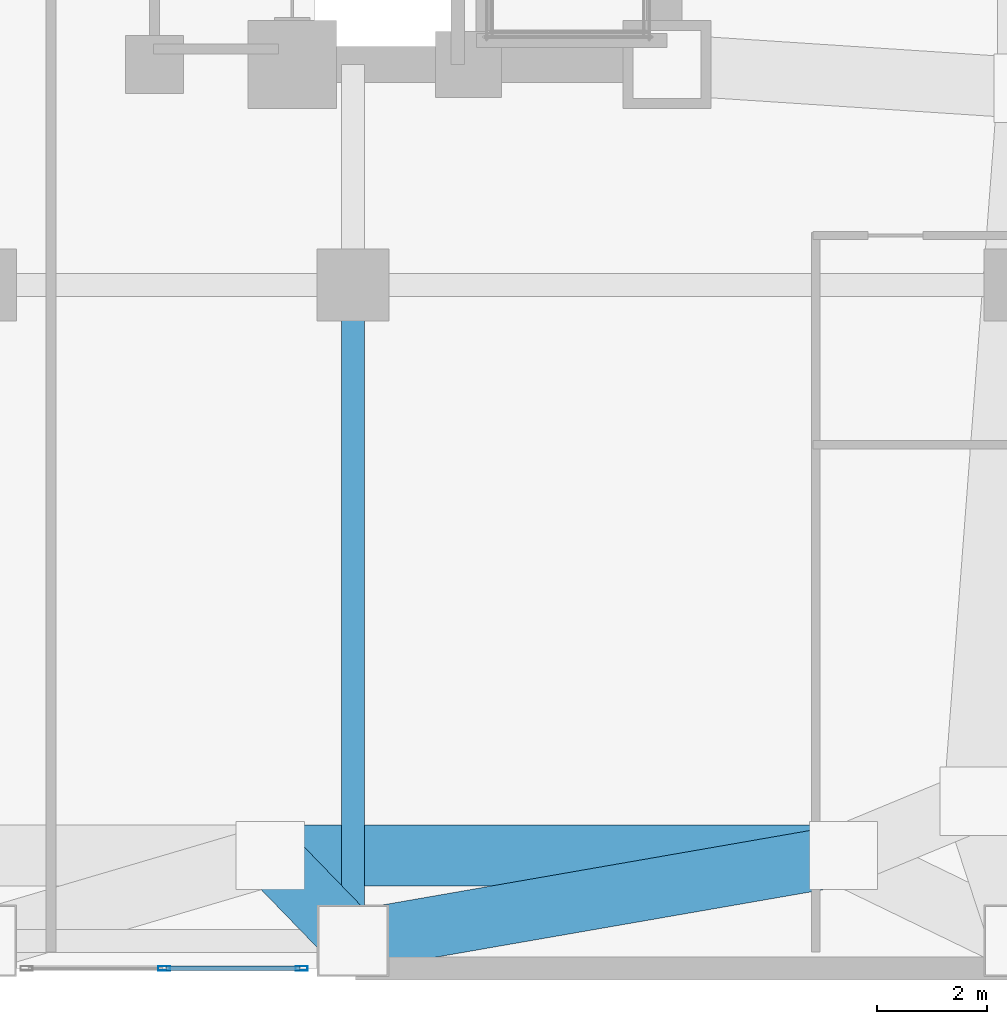
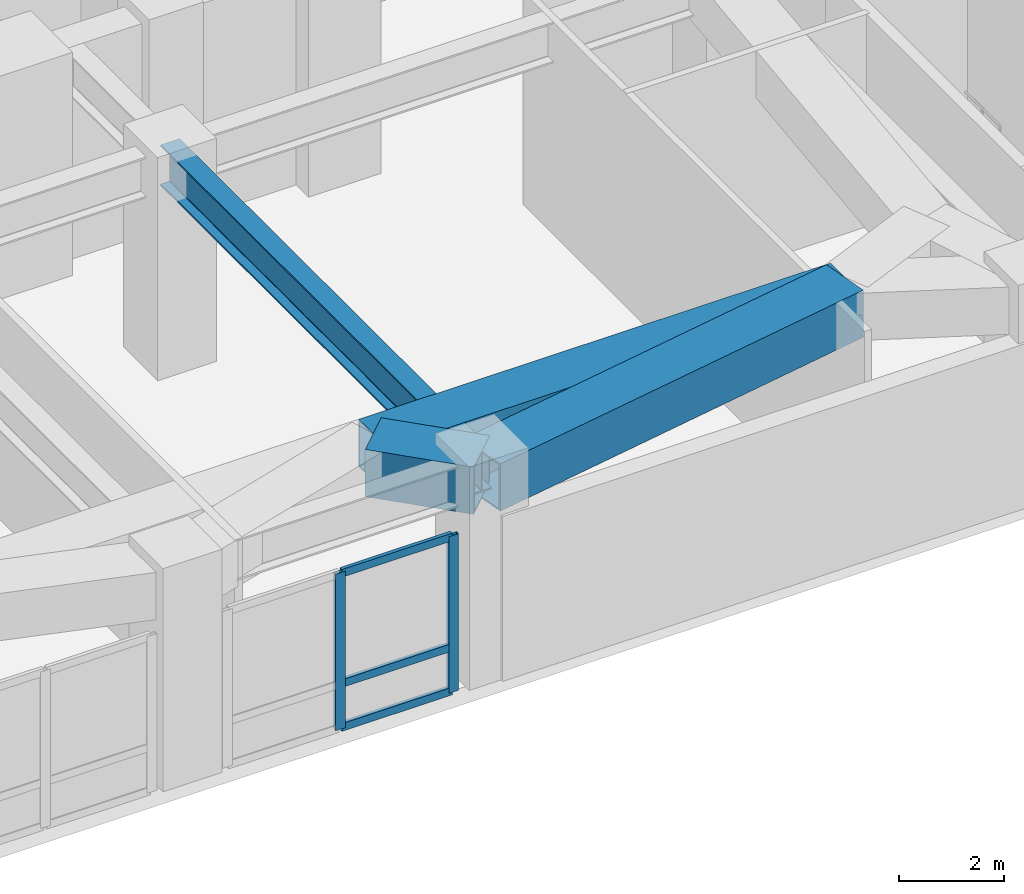
# One storey, part 6 of 20: 5 members, 4 beams, 1 element without a shape of its own.
"""IFC4 building model written with IfcOpenShell, lengths in metres."""

from ifc_helpers import new_model, si_unit, direction, frame, origin, origin_2d, place, context, subcontext, project, spatial, hollow_rectangle, i_section, extrude, material, layer, layer_set, material_profile, profile_set, type_object, element, aggregate, save


model = new_model("IFC4")

# Units and contexts
model_context = context("Model", 3, precision=1e-05, world=origin(), true_north=direction((0.0, 1.0)))
body_context = subcontext(model_context, "Body", "Model", "MODEL_VIEW")
ifc_project = project(units=[si_unit("LENGTHUNIT", "METRE"), si_unit("AREAUNIT", "SQUARE_METRE"), si_unit("VOLUMEUNIT", "CUBIC_METRE"), si_unit("PLANEANGLEUNIT", "RADIAN"), si_unit("MASSUNIT", "GRAM", prefix="KILO")], contexts=[model_context])

# Site, building, storey
site_placement = place(None, origin())
site = spatial("IfcSite", under=ifc_project, at=site_placement, CompositionType="ELEMENT")
building_placement = place(site_placement, origin())
building = spatial("IfcBuilding", under=site, at=building_placement, Name="Voryun Gate Residences", CompositionType="ELEMENT")
storey_placement = place(building_placement, frame((0.0, 0.0, 20.800048828125)))
storey = spatial("IfcBuildingStorey", under=building, at=storey_placement, Name="L04", CompositionType="ELEMENT", Elevation=20.800048828125)

# Beams
ifc_material_1 = material(Name="Steel SM420", Category="steel")
ifc_material_profile_1 = material_profile(ifc_material_1, hollow_rectangle(XDim=1.10009765625, YDim=1.10009765625, WallThickness=0.035888671875, at=origin_2d()), Name="BOX-1100x1100x36")
ifc_profile_set_1 = profile_set([ifc_material_profile_1], Name="Steel SM420")
beam_type_1 = type_object("IfcBeamType", Name="BM_ARCH_RIB", PredefinedType="USERDEFINED", material=ifc_profile_set_1)
beam_1_placement = place(storey_placement, frame((12.0, -21.75, 4.39990234375), z_axis=(1.0, 0.0, 0.0), x_axis=(0.0, 1.0, 0.0)))
element("IfcBeam", 1, at=beam_1_placement, inside=storey, type_object=beam_type_1, Name="BM-L04-B1RING-05", ObjectType="GIRDER", PredefinedType="USERDEFINED", context=body_context, shape_type="SweptSolid", body=[
    extrude(hollow_rectangle(XDim=1.10009765625, YDim=1.10009765625, WallThickness=0.035888671875, at=origin_2d()), origin(), (0.0, 0.0, 1.0), 10.39990234375),
])
beam_2_placement = place(storey_placement, frame((13.5, -23.300048828125, 4.39990234375), z_axis=(-0.695410114988, 0.718613089202, 0.0), x_axis=(-0.718613089202, -0.695410114988, 0.0)))
element("IfcBeam", 2, at=beam_2_placement, inside=storey, type_object=beam_type_1, Name="BM-L04-B1RAD1-S5", ObjectType="GIRDER", PredefinedType="USERDEFINED", context=body_context, shape_type="SweptSolid", body=[
    extrude(hollow_rectangle(XDim=1.10009765625, YDim=1.10009765625, WallThickness=0.035888671875, at=origin_2d()), origin(), (0.0, 0.0, 1.0), 2.156982421875),
])
beam_3_placement = place(storey_placement, frame((13.5, -23.300048828125, 4.39990234375), z_axis=(0.985169873848, 0.171581816236, 0.0), x_axis=(-0.171581816236, 0.985169873848, 0.0)))
element("IfcBeam", 3, at=beam_3_placement, inside=storey, type_object=beam_type_1, Name="BM-L04-B1RAD2-S6", ObjectType="GIRDER", PredefinedType="USERDEFINED", context=body_context, shape_type="SweptSolid", body=[
    extrude(hollow_rectangle(XDim=1.10009765625, YDim=1.10009765625, WallThickness=0.035888671875, at=origin_2d()), origin(), (0.0, 0.0, 1.0), 9.033935546875),
])
ifc_material_2 = material(Name="Steel SM420", Category="steel")
ifc_material_profile_2 = material_profile(ifc_material_2, i_section(OverallWidth=0.419921875, OverallDepth=0.949951171875, WebThickness=0.02001953125, FlangeThickness=0.035888671875, FilletRadius=0.01806640625, at=origin_2d()), Name="H-950x420x20x36")
ifc_profile_set_2 = profile_set([ifc_material_profile_2], Name="Steel SM420")
beam_type_2 = type_object("IfcBeamType", Name="BM_XFER_950", PredefinedType="USERDEFINED", material=ifc_profile_set_2)
beam_4_placement = place(storey_placement, frame((13.5, -23.300048828125, 4.474853515625), z_axis=(0.0, 1.0, 0.0), x_axis=(-1.0, 0.0, 0.0)))
element("IfcBeam", 4, at=beam_4_placement, inside=storey, type_object=beam_type_2, Name="BM-L04-GYA-+13.5--23.3", ObjectType="GIRDER", PredefinedType="USERDEFINED", context=body_context, shape_type="SweptSolid", body=[
    extrude(i_section(OverallWidth=0.419921875, OverallDepth=0.949951171875, WebThickness=0.02001953125, FlangeThickness=0.035888671875, FilletRadius=0.01806640625, at=origin_2d()), origin(), (0.0, 0.0, 1.0), 11.900146484375),
])

# Curtain wall, members
ifc_material_3 = material(Name="Anodised aluminium", Category="aluminium")
ifc_layer = layer(ifc_material_3, 0.219970703125, Name="CW_SYS_POD_DARK_GLASS")
ifc_layer_set = layer_set([ifc_layer], Name="Anodised aluminium")
curtain_wall_type = type_object("IfcCurtainWallType", Name="CW_SYS_POD_DARK_GLASS", PredefinedType="NOTDEFINED", material=ifc_layer_set)
curtain_wall_placement = place(storey_placement, origin())
curtain_wall = element("IfcCurtainWall", 5, at=curtain_wall_placement, inside=storey, type_object=curtain_wall_type, Name="Curtain wall CW1-L04-BRG-1-E", PredefinedType="NOTDEFINED")
ifc_material_4 = material(Name="Anodised aluminium", Category="aluminium")
ifc_material_profile_3 = material_profile(ifc_material_4, hollow_rectangle(XDim=0.080078125, YDim=0.219970703125, WallThickness=0.0048828125, at=origin_2d()), Name="ALU-MULL-220x80x5")
ifc_profile_set_3 = profile_set([ifc_material_profile_3], Name="Anodised aluminium")
member_type_1 = type_object("IfcMemberType", Name="CW_MULL_POD", PredefinedType="MULLION", material=ifc_profile_set_3)
member_1_placement = place(storey_placement, frame((10.074951171875, -23.800048828125, 0.0), z_axis=(0.0, 0.0, 1.0), x_axis=(0.0, 1.0, 0.0)))
member_1 = element("IfcMember", 6, at=member_1_placement, type_object=member_type_1, Name="CW1 mullion 2", PredefinedType="MULLION", context=body_context, shape_type="SweptSolid", body=[
    extrude(hollow_rectangle(XDim=0.080078125, YDim=0.219970703125, WallThickness=0.0048828125, at=origin_2d()), origin(), (0.0, 0.0, 1.0), 3.64990234375),
])
member_2_placement = place(storey_placement, frame((12.570068359375, -23.800048828125, 0.0), z_axis=(0.0, 0.0, 1.0), x_axis=(0.0, 1.0, 0.0)))
member_2 = element("IfcMember", 7, at=member_2_placement, type_object=member_type_1, Name="CW1 mullion 3", PredefinedType="MULLION", context=body_context, shape_type="SweptSolid", body=[
    extrude(hollow_rectangle(XDim=0.080078125, YDim=0.219970703125, WallThickness=0.0048828125, at=origin_2d()), origin(), (0.0, 0.0, 1.0), 3.64990234375),
])
ifc_material_5 = material(Name="Anodised aluminium", Category="aluminium")
ifc_material_profile_4 = material_profile(ifc_material_5, hollow_rectangle(XDim=0.080078125, YDim=0.179931640625, WallThickness=0.0048828125, at=origin_2d()), Name="ALU-TRAN-180x80x5")
ifc_profile_set_4 = profile_set([ifc_material_profile_4], Name="Anodised aluminium")
member_type_2 = type_object("IfcMemberType", Name="CW_TRAN_POD", PredefinedType="USERDEFINED", material=ifc_profile_set_4)
member_3_placement = place(storey_placement, frame((10.10498046875, -23.800048828125, 0.030029296875), z_axis=(1.0, 0.0, 0.0), x_axis=(0.0, 1.0, 0.0)))
member_3 = element("IfcMember", 8, at=member_3_placement, type_object=member_type_2, Name="CW1 transom 2.1", ObjectType="TRANSOM", PredefinedType="USERDEFINED", context=body_context, shape_type="SweptSolid", body=[
    extrude(hollow_rectangle(XDim=0.080078125, YDim=0.179931640625, WallThickness=0.0048828125, at=origin_2d()), origin(), (0.0, 0.0, 1.0), 2.43505859375),
])
member_4_placement = place(storey_placement, frame((10.10498046875, -23.800048828125, 1.050048828125), z_axis=(1.0, 0.0, 0.0), x_axis=(0.0, 1.0, 0.0)))
member_4 = element("IfcMember", 9, at=member_4_placement, type_object=member_type_2, Name="CW1 transom 2.2", ObjectType="TRANSOM", PredefinedType="USERDEFINED", context=body_context, shape_type="SweptSolid", body=[
    extrude(hollow_rectangle(XDim=0.080078125, YDim=0.179931640625, WallThickness=0.0048828125, at=origin_2d()), origin(), (0.0, 0.0, 1.0), 2.43505859375),
])
member_5_placement = place(storey_placement, frame((10.10498046875, -23.800048828125, 3.619873046875), z_axis=(1.0, 0.0, 0.0), x_axis=(0.0, 1.0, 0.0)))
member_5 = element("IfcMember", 10, at=member_5_placement, type_object=member_type_2, Name="CW1 transom 2.3", ObjectType="TRANSOM", PredefinedType="USERDEFINED", context=body_context, shape_type="SweptSolid", body=[
    extrude(hollow_rectangle(XDim=0.080078125, YDim=0.179931640625, WallThickness=0.0048828125, at=origin_2d()), origin(), (0.0, 0.0, 1.0), 2.43505859375),
])
aggregate(curtain_wall, [member_1, member_2, member_3, member_4, member_5])

save(model, "model.ifc")
